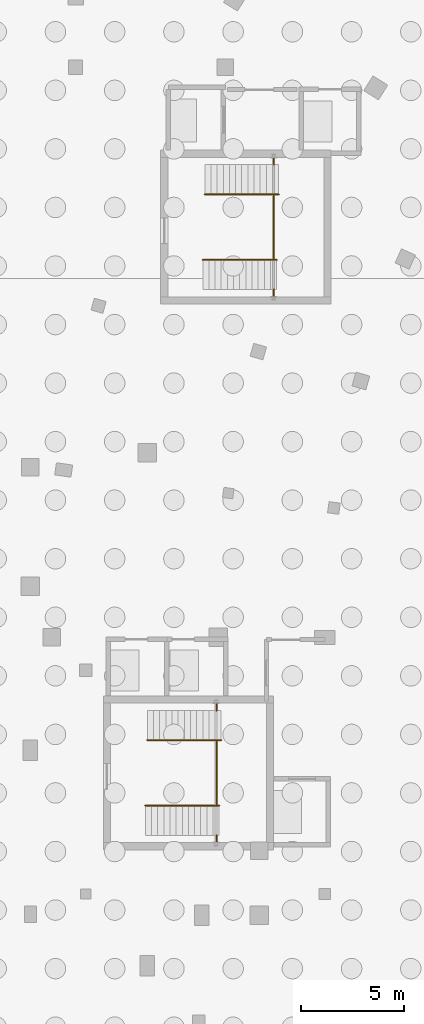
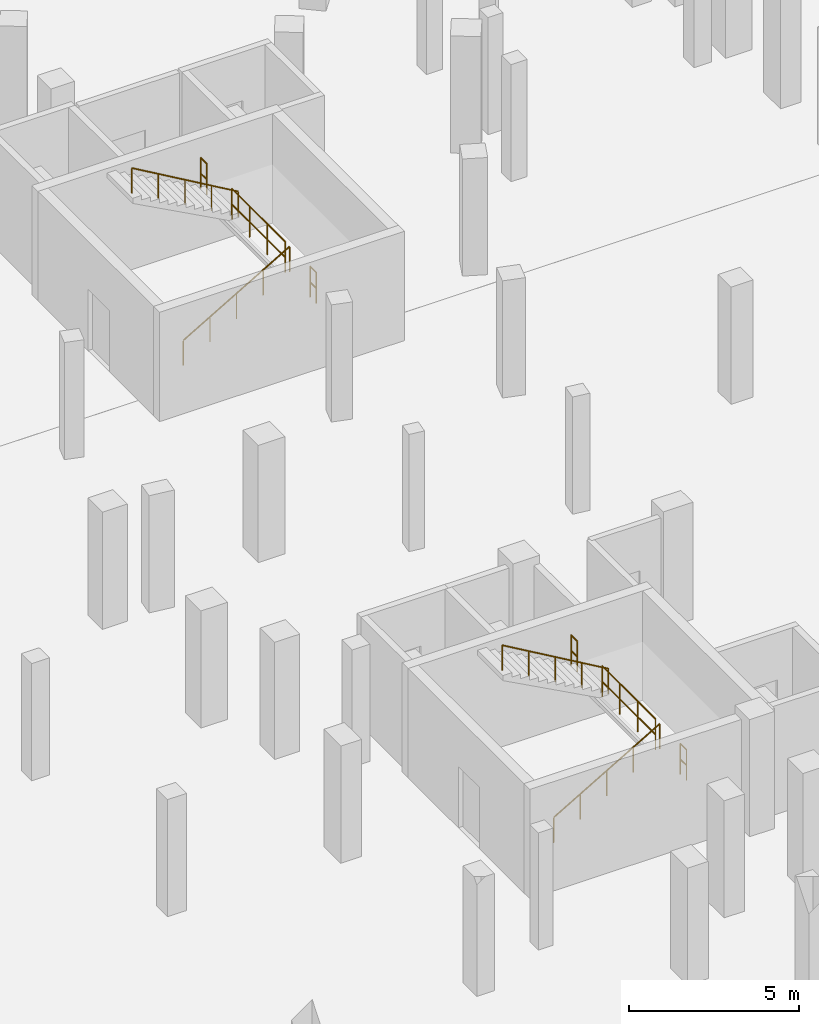
# One storey, part 31 of 36: 10 railings.
"""IFC4 building model written with IfcOpenShell, lengths in metres."""

from ifc_helpers import new_model, si_unit, direction, frame, origin, origin_2d, place, context, subcontext, project, spatial, circle, extrude, material, type_object, element, save


model = new_model("IFC4")

# Units and contexts
model_context = context("Model", 3, precision=1e-05, world=origin(), true_north=direction((0.0, 1.0)))
body_context = subcontext(model_context, "Body", "Model", "MODEL_VIEW")
ifc_project = project(units=[si_unit("LENGTHUNIT", "METRE"), si_unit("AREAUNIT", "SQUARE_METRE"), si_unit("VOLUMEUNIT", "CUBIC_METRE"), si_unit("PLANEANGLEUNIT", "RADIAN"), si_unit("MASSUNIT", "GRAM", prefix="KILO"), si_unit("THERMODYNAMICTEMPERATUREUNIT", "KELVIN"), si_unit("POWERUNIT", "WATT")], contexts=[model_context])

# Site, building, storey
site_placement = place(None, origin())
site = spatial("IfcSite", under=ifc_project, at=site_placement, CompositionType="ELEMENT")
building_placement = place(site_placement, origin())
building = spatial("IfcBuilding", under=site, at=building_placement, Name="Solvatero Civic Police Headquarters", CompositionType="ELEMENT")
storey_placement = place(building_placement, frame((0.0, 0.0, -8.39990234375)))
storey = spatial("IfcBuildingStorey", under=building, at=storey_placement, Name="B02", CompositionType="ELEMENT", Elevation=-8.39990234375)

# Railings
ifc_material_1 = material(Name="Painted Galvanized Steel", Category="steel")
railing_type_1 = type_object("IfcRailingType", Name="RL-GRD-110", PredefinedType="GUARDRAIL", material=ifc_material_1)
railing_1_placement = place(storey_placement, frame((43.3701171875, 17.830078125, 2.099853515625)))
element("IfcRailing", 1, at=railing_1_placement, inside=storey, type_object=railing_type_1, Name="ST-C1 B02 Half-Landing Well Guardrail", PredefinedType="GUARDRAIL", context=body_context, shape_type="SweptSolid", body=[
    extrude(circle(Radius=0.02392578125, at=origin_2d()), frame((0.0, 0.0, 1.09619140625), z_axis=(0.0, 1.0, 0.0), x_axis=(-1.0, 0.0, 0.0)), (0.0, 0.0, 1.0), 3.139892578125),
    extrude(circle(Radius=0.02392578125, at=origin_2d()), frame((0.0, 0.0, 0.5361328125), z_axis=(0.0, 1.0, 0.0), x_axis=(-1.0, 0.0, 0.0)), (0.0, 0.0, 1.0), 3.139892578125),
    extrude(circle(Radius=0.02099609375, at=origin_2d()), origin(), (0.0, 0.0, 1.0), 1.072021484375),
    extrude(circle(Radius=0.02099609375, at=origin_2d()), frame((0.0, 1.046630859375, 0.0)), (0.0, 0.0, 1.0), 1.072021484375),
    extrude(circle(Radius=0.02099609375, at=origin_2d()), frame((0.0, 2.09326171875, 0.0)), (0.0, 0.0, 1.0), 1.072021484375),
    extrude(circle(Radius=0.02099609375, at=origin_2d()), frame((0.0, 3.139892578125, 0.0)), (0.0, 0.0, 1.0), 1.072021484375),
])
for number, where, name in (
    (2, (43.3701171875, 16.010009765625, 2.099853515625), "ST-C1 B02 Half-Landing South Slot Guardrail"),
    (3, (43.3701171875, 22.429931640625, 2.099853515625), "ST-C1 B02 Half-Landing North Slot Guardrail"),
):
    element("IfcRailing", number, at=place(storey_placement, frame(where)), inside=storey, type_object=railing_type_1, Name=name, PredefinedType="GUARDRAIL", context=body_context, shape_type="SweptSolid", body=[
        extrude(circle(Radius=0.02392578125, at=origin_2d()), frame((0.0, 0.0, 1.09619140625), z_axis=(0.0, 1.0, 0.0), x_axis=(-1.0, 0.0, 0.0)), (0.0, 0.0, 1.0), 0.360107421875),
        extrude(circle(Radius=0.02392578125, at=origin_2d()), frame((0.0, 0.0, 0.5361328125), z_axis=(0.0, 1.0, 0.0), x_axis=(-1.0, 0.0, 0.0)), (0.0, 0.0, 1.0), 0.360107421875),
        extrude(circle(Radius=0.02099609375, at=origin_2d()), origin(), (0.0, 0.0, 1.0), 1.072021484375),
        extrude(circle(Radius=0.02099609375, at=origin_2d()), frame((0.0, 0.360107421875, 0.0)), (0.0, 0.0, 1.0), 1.072021484375),
    ])
railing_2_placement = place(storey_placement, frame((46.169921875, 44.429931640625, 2.099853515625)))
element("IfcRailing", 4, at=railing_2_placement, inside=storey, type_object=railing_type_1, Name="ST-C2 B02 Half-Landing Well Guardrail", PredefinedType="GUARDRAIL", context=body_context, shape_type="SweptSolid", body=[
    extrude(circle(Radius=0.02392578125, at=origin_2d()), frame((0.0, 0.0, 1.09619140625), z_axis=(0.0, 1.0, 0.0), x_axis=(-1.0, 0.0, 0.0)), (0.0, 0.0, 1.0), 3.14013671875),
    extrude(circle(Radius=0.02392578125, at=origin_2d()), frame((0.0, 0.0, 0.5361328125), z_axis=(0.0, 1.0, 0.0), x_axis=(-1.0, 0.0, 0.0)), (0.0, 0.0, 1.0), 3.14013671875),
    extrude(circle(Radius=0.02099609375, at=origin_2d()), origin(), (0.0, 0.0, 1.0), 1.072021484375),
    extrude(circle(Radius=0.02099609375, at=origin_2d()), frame((0.0, 1.046630859375, 0.0)), (0.0, 0.0, 1.0), 1.072021484375),
    extrude(circle(Radius=0.02099609375, at=origin_2d()), frame((0.0, 2.093505859375, 0.0)), (0.0, 0.0, 1.0), 1.072021484375),
    extrude(circle(Radius=0.02099609375, at=origin_2d()), frame((0.0, 3.14013671875, 0.0)), (0.0, 0.0, 1.0), 1.072021484375),
])
for number, where, name in (
    (5, (46.169921875, 42.610107421875, 2.099853515625), "ST-C2 B02 Half-Landing South Slot Guardrail"),
    (6, (46.169921875, 49.030029296875, 2.099853515625), "ST-C2 B02 Half-Landing North Slot Guardrail"),
):
    element("IfcRailing", number, at=place(storey_placement, frame(where)), inside=storey, type_object=railing_type_1, Name=name, PredefinedType="GUARDRAIL", context=body_context, shape_type="SweptSolid", body=[
        extrude(circle(Radius=0.02392578125, at=origin_2d()), frame((0.0, 0.0, 1.09619140625), z_axis=(0.0, 1.0, 0.0), x_axis=(-1.0, 0.0, 0.0)), (0.0, 0.0, 1.0), 0.35986328125),
        extrude(circle(Radius=0.02392578125, at=origin_2d()), frame((0.0, 0.0, 0.5361328125), z_axis=(0.0, 1.0, 0.0), x_axis=(-1.0, 0.0, 0.0)), (0.0, 0.0, 1.0), 0.35986328125),
        extrude(circle(Radius=0.02099609375, at=origin_2d()), origin(), (0.0, 0.0, 1.0), 1.072021484375),
        extrude(circle(Radius=0.02099609375, at=origin_2d()), frame((0.0, 0.35986328125, 0.0)), (0.0, 0.0, 1.0), 1.072021484375),
    ])
ifc_material_2 = material(Name="Brushed Stainless Steel", Category="steel")
railing_type_2 = type_object("IfcRailingType", Name="RL-HND-092", PredefinedType="HANDRAIL", material=ifc_material_2)
railing_3_placement = place(storey_placement, frame((39.89990234375, 17.800048828125, 0.0)))
element("IfcRailing", 7, at=railing_3_placement, inside=storey, type_object=railing_type_2, Name="ST-C1 B02 Flight 1 Handrail", PredefinedType="HANDRAIL", context=body_context, shape_type="SweptSolid", body=[
    extrude(circle(Radius=0.02392578125, at=origin_2d()), frame((0.0, 0.0, 0.89599609375), z_axis=(0.863800146258, 0.0, 0.503834603144), x_axis=(0.0, 1.0, 0.0)), (0.0, 0.0, 1.0), 4.167724609375),
    extrude(circle(Radius=0.02099609375, at=origin_2d()), origin(), (0.0, 0.0, 1.0), 0.871826171875),
    extrude(circle(Radius=0.02099609375, at=origin_2d()), frame((0.89990234375, 0.0, 0.52490234375)), (0.0, 0.0, 1.0), 0.871826171875),
    extrude(circle(Radius=0.02099609375, at=origin_2d()), frame((1.800048828125, 0.0, 1.0498046875)), (0.0, 0.0, 1.0), 0.871826171875),
    extrude(circle(Radius=0.02099609375, at=origin_2d()), frame((2.7001953125, 0.0, 1.574951171875)), (0.0, 0.0, 1.0), 0.871826171875),
    extrude(circle(Radius=0.02099609375, at=origin_2d()), frame((3.60009765625, 0.0, 2.099853515625)), (0.0, 0.0, 1.0), 0.871826171875),
])
railing_4_placement = place(storey_placement, frame((43.60009765625, 21.0, 2.099853515625)))
element("IfcRailing", 8, at=railing_4_placement, inside=storey, type_object=railing_type_2, Name="ST-C1 B02 Flight 2 Handrail", PredefinedType="HANDRAIL", context=body_context, shape_type="SweptSolid", body=[
    extrude(circle(Radius=0.02392578125, at=origin_2d()), frame((0.0, 0.0, 0.89599609375), z_axis=(-0.863774651768, 0.0, 0.503878309678), x_axis=(0.0, -1.0, 0.0)), (0.0, 0.0, 1.0), 4.16796875),
    extrude(circle(Radius=0.02099609375, at=origin_2d()), origin(), (0.0, 0.0, 1.0), 0.871826171875),
    extrude(circle(Radius=0.02099609375, at=origin_2d()), frame((-0.89990234375, 0.0, 0.52490234375)), (0.0, 0.0, 1.0), 0.871826171875),
    extrude(circle(Radius=0.02099609375, at=origin_2d()), frame((-1.800048828125, 0.0, 1.050048828125)), (0.0, 0.0, 1.0), 0.871826171875),
    extrude(circle(Radius=0.02099609375, at=origin_2d()), frame((-2.7001953125, 0.0, 1.5751953125)), (0.0, 0.0, 1.0), 0.871826171875),
    extrude(circle(Radius=0.02099609375, at=origin_2d()), frame((-3.60009765625, 0.0, 2.10009765625)), (0.0, 0.0, 1.0), 0.871826171875),
])
railing_5_placement = place(storey_placement, frame((42.699951171875, 44.39990234375, 0.0)))
element("IfcRailing", 9, at=railing_5_placement, inside=storey, type_object=railing_type_2, Name="ST-C2 B02 Flight 1 Handrail", PredefinedType="HANDRAIL", context=body_context, shape_type="SweptSolid", body=[
    extrude(circle(Radius=0.02392578125, at=origin_2d()), frame((0.0, 0.0, 0.89599609375), z_axis=(0.863800146258, 0.0, 0.503834603144), x_axis=(0.0, 1.0, 0.0)), (0.0, 0.0, 1.0), 4.167724609375),
    extrude(circle(Radius=0.02099609375, at=origin_2d()), origin(), (0.0, 0.0, 1.0), 0.871826171875),
    extrude(circle(Radius=0.02099609375, at=origin_2d()), frame((0.89990234375, 0.0, 0.52490234375)), (0.0, 0.0, 1.0), 0.871826171875),
    extrude(circle(Radius=0.02099609375, at=origin_2d()), frame((1.800048828125, 0.0, 1.0498046875)), (0.0, 0.0, 1.0), 0.871826171875),
    extrude(circle(Radius=0.02099609375, at=origin_2d()), frame((2.7001953125, 0.0, 1.574951171875)), (0.0, 0.0, 1.0), 0.871826171875),
    extrude(circle(Radius=0.02099609375, at=origin_2d()), frame((3.60009765625, 0.0, 2.099853515625)), (0.0, 0.0, 1.0), 0.871826171875),
])
railing_6_placement = place(storey_placement, frame((46.39990234375, 47.60009765625, 2.099853515625)))
element("IfcRailing", 10, at=railing_6_placement, inside=storey, type_object=railing_type_2, Name="ST-C2 B02 Flight 2 Handrail", PredefinedType="HANDRAIL", context=body_context, shape_type="SweptSolid", body=[
    extrude(circle(Radius=0.02392578125, at=origin_2d()), frame((0.0, 0.0, 0.89599609375), z_axis=(-0.863759778359, 0.0, 0.503903805591), x_axis=(0.0, -1.0, 0.0)), (0.0, 0.0, 1.0), 4.167724609375),
    extrude(circle(Radius=0.02099609375, at=origin_2d()), origin(), (0.0, 0.0, 1.0), 0.871826171875),
    extrude(circle(Radius=0.02099609375, at=origin_2d()), frame((-0.89990234375, 0.0, 0.52490234375)), (0.0, 0.0, 1.0), 0.871826171875),
    extrude(circle(Radius=0.02099609375, at=origin_2d()), frame((-1.7998046875, 0.0, 1.050048828125)), (0.0, 0.0, 1.0), 0.871826171875),
    extrude(circle(Radius=0.02099609375, at=origin_2d()), frame((-2.699951171875, 0.0, 1.5751953125)), (0.0, 0.0, 1.0), 0.871826171875),
    extrude(circle(Radius=0.02099609375, at=origin_2d()), frame((-3.599853515625, 0.0, 2.10009765625)), (0.0, 0.0, 1.0), 0.871826171875),
])

save(model, "model.ifc")
